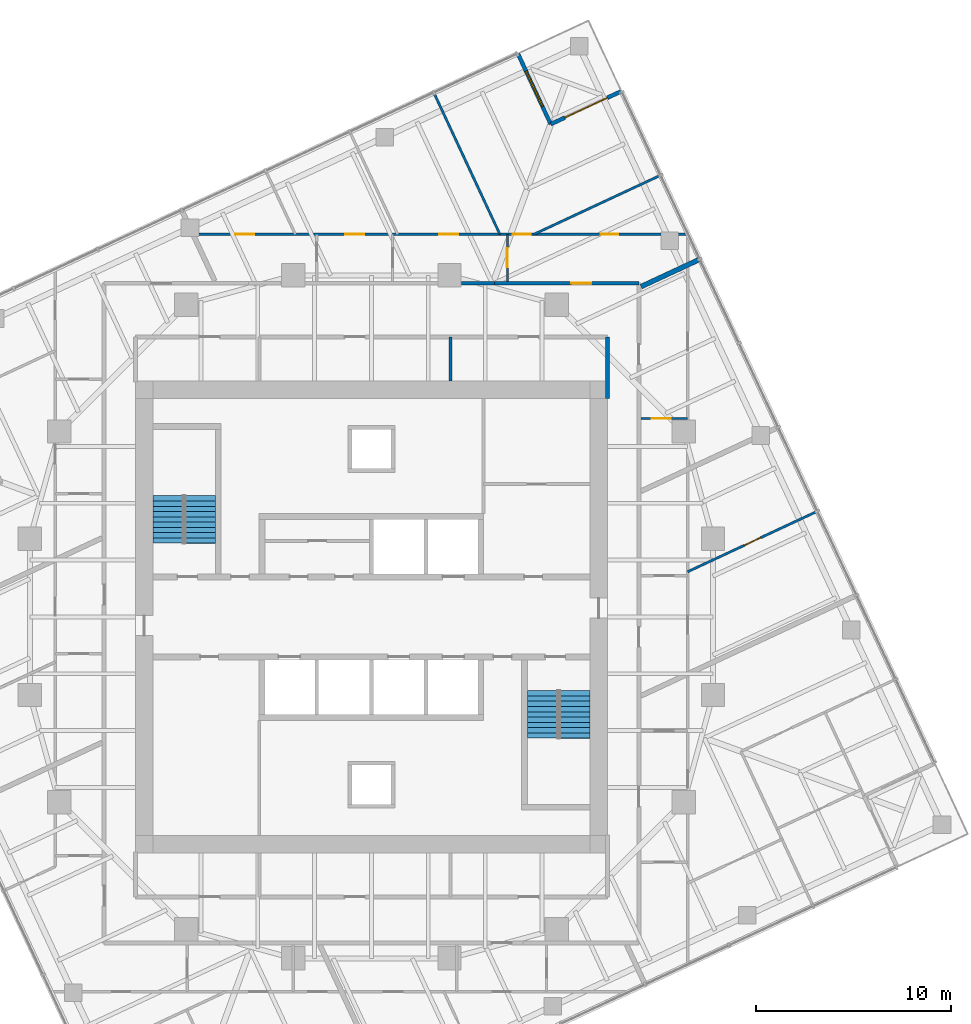
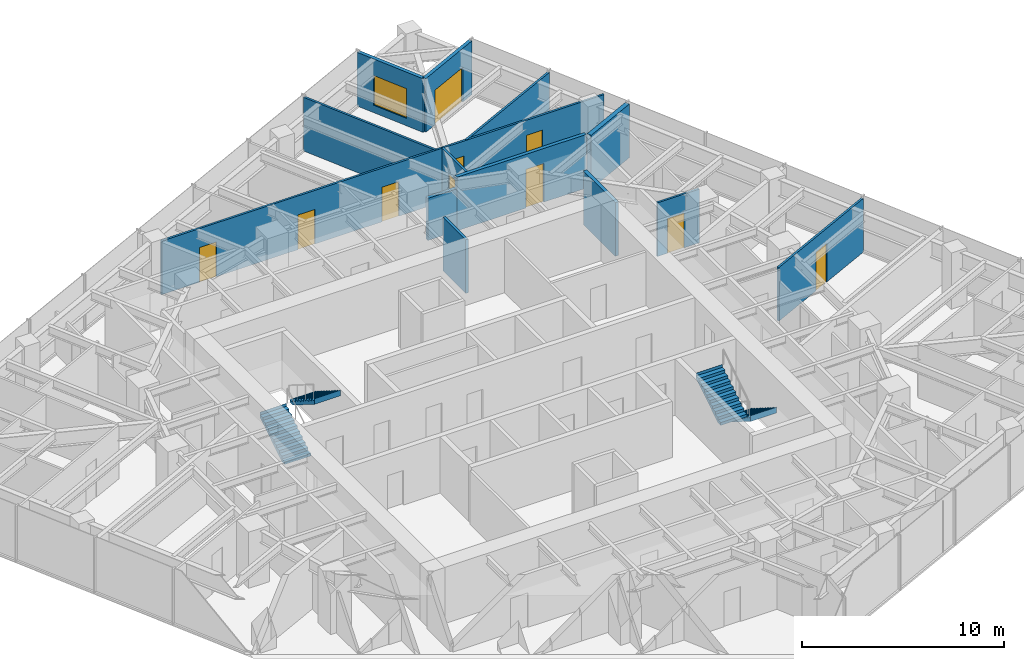
# One storey, part 11 of 12: 13 walls, 10 doors, 4 stair flights, 1 window, 11 openings, 2 elements without a shape of their own.
"""IFC4 building model written with IfcOpenShell, lengths in metres."""

from ifc_helpers import new_model, si_unit, direction, frame, frame_2d, origin, place, context, subcontext, project, spatial, polyline, rectangle, outline, extrude, material, layer, layer_set, type_object, element, fill, aggregate, save


model = new_model("IFC4")

# Units and contexts
model_context = context("Model", 3, precision=1e-05, world=origin(), true_north=direction((0.0, 1.0)))
body_context = subcontext(model_context, "Body", "Model", "MODEL_VIEW")
ifc_project = project(units=[si_unit("LENGTHUNIT", "METRE"), si_unit("AREAUNIT", "SQUARE_METRE"), si_unit("VOLUMEUNIT", "CUBIC_METRE"), si_unit("PLANEANGLEUNIT", "RADIAN"), si_unit("MASSUNIT", "GRAM", prefix="KILO")], contexts=[model_context])

# Site, building, storey
site_placement = place(None, origin())
site = spatial("IfcSite", under=ifc_project, at=site_placement, CompositionType="ELEMENT")
building_placement = place(site_placement, origin())
building = spatial("IfcBuilding", under=site, at=building_placement, Name="Torsade Residences", CompositionType="ELEMENT")
storey_placement = place(building_placement, frame((0.0, 0.0, 193.0)))
storey = spatial("IfcBuildingStorey", under=building, at=storey_placement, Name="L53", CompositionType="ELEMENT", Elevation=193.0)

# Wall, opening, door
ifc_material_1 = material(Name="Plasterboard on steel stud", Category="steel")
ifc_layer_1 = layer(ifc_material_1, 0.199951171875)
ifc_layer_set_1 = layer_set([ifc_layer_1], Name="Plasterboard on steel stud")
wall_type_1 = type_object("IfcWallType", Name="CORRIDOR WALL 200", PredefinedType="PARTITIONING", material=ifc_layer_set_1)
wall_1_placement = place(storey_placement, frame((53.699951171875, 47.10009765625, 0.0), z_axis=(0.0, 0.0, 1.0), x_axis=(-1.0, 0.0, 0.0)))
wall_1 = element("IfcWall", 1, at=wall_1_placement, inside=storey, type_object=wall_type_1, Name="Corridor wall L53", PredefinedType="PARTITIONING", context=body_context, shape_type="SweptSolid", body=[
    extrude(rectangle(XDim=7.3916015625, YDim=0.199951171875, at=frame_2d((3.69580078125, 0.0))), origin(), (0.0, 0.0, 1.0), 3.25),
])
opening_1_placement = place(wall_1_placement, frame((2.430908203125, 0.0, 0.0)))
opening_1 = element("IfcOpeningElement", 2, at=opening_1_placement, cuts=wall_1, Name="Opening D01", PredefinedType="OPENING", context=body_context, shape_type="SweptSolid", body=[
    extrude(rectangle(XDim=1.02001953125, YDim=2.340087890625, at=frame_2d((0.510009765625, 1.169921875))), frame((0.0, 0.10986328125, 0.0), z_axis=(0.0, -1.0, 0.0), x_axis=(1.0, 0.0, 0.0)), (0.0, 0.0, 1.0), 0.219970703125),
])
ifc_material_2 = material(Name="Solid-core timber fire door", Category="wood")
door_type_1 = type_object("IfcDoorType", Name="APARTMENT ENTRY DOOR 1020x2340", OperationType="NOTDEFINED", PredefinedType="DOOR", material=ifc_material_2)
door_1_placement = place(opening_1_placement, origin())
door_1 = element("IfcDoor", 3, at=door_1_placement, inside=storey, type_object=door_type_1, Name="Door Residential corridor to Kitchen and dining", OperationType="SINGLE_SWING_LEFT", OverallHeight=2.340087890625, OverallWidth=1.02001953125, PredefinedType="DOOR", context=body_context, shape_type="SweptSolid", body=[
    extrude(rectangle(XDim=1.02001953125, YDim=2.340087890625, at=frame_2d((0.510009765625, 1.169921875))), frame((0.0, 0.02490234375, 0.0), z_axis=(0.0, -1.0, 0.0), x_axis=(1.0, 0.0, 0.0)), (0.0, 0.0, 1.0), 0.050048828125),
])
fill(opening_1, door_1)

# Walls
wall_2_placement = place(storey_placement, frame((46.308349609375, 47.10009765625, 0.0), z_axis=(0.0, 0.0, 1.0), x_axis=(-1.0, 0.0, 0.0)))
element("IfcWall", 4, at=wall_2_placement, inside=storey, type_object=wall_type_1, Name="Corridor wall L53", PredefinedType="PARTITIONING", context=body_context, shape_type="SweptSolid", body=[
    extrude(rectangle(XDim=1.683349609375, YDim=0.199951171875, at=frame_2d((0.841796875, 0.0))), origin(), (0.0, 0.0, 1.0), 2.550048828125),
])
wall_3_placement = place(storey_placement, frame((52.10009765625, 41.179931640625, 0.0), z_axis=(0.0, 0.0, 1.0), x_axis=(0.0, 1.0, 0.0)))
element("IfcWall", 5, at=wall_3_placement, inside=storey, type_object=wall_type_1, Name="Corridor wall L53", PredefinedType="PARTITIONING", context=body_context, shape_type="SweptSolid", body=[
    extrude(rectangle(XDim=3.170166015625, YDim=0.199951171875, at=frame_2d((1.5849609375, 0.0))), origin(), (0.0, 0.0, 1.0), 3.25),
])

# Wall, opening, door
ifc_material_3 = material(Name="Plasterboard on steel stud", Category="steel")
ifc_layer_2 = layer(ifc_material_3, 0.1201171875)
ifc_layer_set_2 = layer_set([ifc_layer_2], Name="Plasterboard on steel stud")
wall_type_2 = type_object("IfcWallType", Name="PARTITION 120", PredefinedType="PARTITIONING", material=ifc_layer_set_2)
wall_4_placement = place(storey_placement, frame((56.199951171875, 32.313232421875, 0.0), z_axis=(0.0, 0.0, 1.0), x_axis=(0.906306986906, 0.422619977621, 0.0)))
wall_4 = element("IfcWall", 6, at=wall_4_placement, inside=storey, type_object=wall_type_2, Name="Partition L53", PredefinedType="PARTITIONING", context=body_context, shape_type="SweptSolid", body=[
    extrude(rectangle(XDim=7.30029296875, YDim=0.1201171875, at=frame_2d((3.650146484375, 0.0))), origin(), (0.0, 0.0, 1.0), 3.25),
])
opening_2_placement = place(wall_4_placement, frame((3.210205078125, 0.0, 0.0)))
opening_2 = element("IfcOpeningElement", 7, at=opening_2_placement, cuts=wall_4, Name="Opening D02", PredefinedType="OPENING", context=body_context, shape_type="SweptSolid", body=[
    extrude(rectangle(XDim=0.919921875, YDim=2.340087890625, at=frame_2d((0.4599609375, 1.169921875))), frame((0.0, 0.070068359375, 0.0), z_axis=(0.0, -1.0, 0.0), x_axis=(1.0, 0.0, 0.0)), (0.0, 0.0, 1.0), 0.14013671875),
])
ifc_material_4 = material(Name="Hollow-core timber door", Category="wood")
door_type_2 = type_object("IfcDoorType", Name="INTERNAL DOOR 920x2340", OperationType="NOTDEFINED", PredefinedType="DOOR", material=ifc_material_4)
door_2_placement = place(opening_2_placement, origin())
door_2 = element("IfcDoor", 8, at=door_2_placement, inside=storey, type_object=door_type_2, Name="Door Living room to Bedroom 1", OperationType="SINGLE_SWING_LEFT", OverallHeight=2.340087890625, OverallWidth=0.919921875, PredefinedType="DOOR", context=body_context, shape_type="SweptSolid", body=[
    extrude(rectangle(XDim=0.919921875, YDim=2.340087890625, at=frame_2d((0.4599609375, 1.169921875))), frame((0.0, 0.02490234375, 0.0), z_axis=(0.0, -1.0, 0.0), x_axis=(1.0, 0.0, 0.0)), (0.0, 0.0, 1.0), 0.050048828125),
])
fill(opening_2, door_2)

wall_5_placement = place(storey_placement, frame((56.199951171875, 40.166748046875, 0.0), z_axis=(0.0, 0.0, 1.0), x_axis=(-1.0, 0.0, 0.0)))
wall_5 = element("IfcWall", 9, at=wall_5_placement, inside=storey, type_object=wall_type_2, Name="Partition L53", PredefinedType="PARTITIONING", context=body_context, shape_type="SweptSolid", body=[
    extrude(rectangle(XDim=2.39990234375, YDim=0.1201171875, at=frame_2d((1.199951171875, 0.0))), origin(), (0.0, 0.0, 1.0), 3.25),
])
opening_3_placement = place(wall_5_placement, frame((0.8701171875, 0.0, 0.0)))
opening_3 = element("IfcOpeningElement", 10, at=opening_3_placement, cuts=wall_5, Name="Opening D05", PredefinedType="OPENING", context=body_context, shape_type="SweptSolid", body=[
    extrude(rectangle(XDim=0.9599609375, YDim=2.10009765625, at=frame_2d((0.47998046875, 1.050048828125))), frame((0.0, 0.070068359375, 0.0), z_axis=(0.0, -1.0, 0.0), x_axis=(1.0, 0.0, 0.0)), (0.0, 0.0, 1.0), 0.14013671875),
])
ifc_material_5 = material(Name="Hollow-core timber door in a steel cavity frame", Category="steel")
door_type_3 = type_object("IfcDoorType", Name="BATHROOM CAVITY SLIDING DOOR 960", OperationType="SLIDING_TO_LEFT", PredefinedType="DOOR", material=ifc_material_5)
door_3_placement = place(opening_3_placement, origin())
door_3 = element("IfcDoor", 11, at=door_3_placement, inside=storey, type_object=door_type_3, Name="Door Kitchen and dining to Bathroom", OperationType="SLIDING_TO_LEFT", OverallHeight=2.10009765625, OverallWidth=0.9599609375, PredefinedType="DOOR", context=body_context, shape_type="SweptSolid", body=[
    extrude(rectangle(XDim=0.9599609375, YDim=2.10009765625, at=frame_2d((0.47998046875, 1.050048828125))), frame((0.0, 0.02490234375, 0.0), z_axis=(0.0, -1.0, 0.0), x_axis=(1.0, 0.0, 0.0)), (0.0, 0.0, 1.0), 0.050048828125),
])
fill(opening_3, door_3)

wall_6_placement = place(storey_placement, frame((46.968017578125, 47.199951171875, 0.0), z_axis=(0.0, 0.0, 1.0), x_axis=(0.0, 1.0, 0.0)))
wall_6 = element("IfcWall", 12, at=wall_6_placement, inside=storey, type_object=wall_type_2, Name="Partition L53", PredefinedType="PARTITIONING", context=body_context, shape_type="SweptSolid", body=[
    extrude(rectangle(XDim=2.400146484375, YDim=0.1201171875, at=frame_2d((1.2001953125, 0.0))), origin(), (0.0, 0.0, 1.0), 3.25),
])
opening_4_placement = place(wall_6_placement, frame((0.719970703125, 0.0, 0.0)))
opening_4 = element("IfcOpeningElement", 13, at=opening_4_placement, cuts=wall_6, Name="Opening D05", PredefinedType="OPENING", context=body_context, shape_type="SweptSolid", body=[
    extrude(rectangle(XDim=0.9599609375, YDim=2.10009765625, at=frame_2d((0.47998046875, 1.050048828125))), frame((0.0, 0.070068359375, 0.0), z_axis=(0.0, -1.0, 0.0), x_axis=(1.0, 0.0, 0.0)), (0.0, 0.0, 1.0), 0.14013671875),
])
door_4_placement = place(opening_4_placement, origin())
door_4 = element("IfcDoor", 14, at=door_4_placement, inside=storey, type_object=door_type_3, Name="Door Kitchen and dining to Bathroom", OperationType="SLIDING_TO_LEFT", OverallHeight=2.10009765625, OverallWidth=0.9599609375, PredefinedType="DOOR", context=body_context, shape_type="SweptSolid", body=[
    extrude(rectangle(XDim=0.9599609375, YDim=2.10009765625, at=frame_2d((0.47998046875, 1.050048828125))), frame((0.0, 0.02490234375, 0.0), z_axis=(0.0, -1.0, 0.0), x_axis=(1.0, 0.0, 0.0)), (0.0, 0.0, 1.0), 0.050048828125),
])
fill(opening_4, door_4)

# Wall, openings, doors
wall_7_placement = place(storey_placement, frame((30.8603515625, 49.60009765625, 0.0), z_axis=(0.0, 0.0, 1.0), x_axis=(1.0, 0.0, 0.0)))
wall_7 = element("IfcWall", 15, at=wall_7_placement, inside=storey, type_object=wall_type_2, Name="Partition L53", PredefinedType="PARTITIONING", context=body_context, shape_type="SweptSolid", body=[
    extrude(rectangle(XDim=25.33349609375, YDim=0.1201171875, at=frame_2d((12.666748046875, 0.0))), origin(), (0.0, 0.0, 1.0), 3.25),
])
opening_5_placement = place(wall_7_placement, frame((20.87744140625, 0.0, 0.0)))
opening_5 = element("IfcOpeningElement", 16, at=opening_5_placement, cuts=wall_7, Name="Opening D02", PredefinedType="OPENING", context=body_context, shape_type="SweptSolid", body=[
    extrude(rectangle(XDim=0.919921875, YDim=2.340087890625, at=frame_2d((0.4599609375, 1.169921875))), frame((0.0, 0.070068359375, 0.0), z_axis=(0.0, -1.0, 0.0), x_axis=(1.0, 0.0, 0.0)), (0.0, 0.0, 1.0), 0.14013671875),
])
opening_6_placement = place(wall_7_placement, frame((16.3798828125, 0.0, 0.0)))
opening_6 = element("IfcOpeningElement", 17, at=opening_6_placement, cuts=wall_7, Name="Opening D02", PredefinedType="OPENING", context=body_context, shape_type="SweptSolid", body=[
    extrude(rectangle(XDim=0.919921875, YDim=2.340087890625, at=frame_2d((0.4599609375, 1.169921875))), frame((0.0, 0.070068359375, 0.0), z_axis=(0.0, -1.0, 0.0), x_axis=(1.0, 0.0, 0.0)), (0.0, 0.0, 1.0), 0.14013671875),
])
opening_7_placement = place(wall_7_placement, frame((12.62255859375, 0.0, 0.0)))
opening_7 = element("IfcOpeningElement", 18, at=opening_7_placement, cuts=wall_7, Name="Opening D05", PredefinedType="OPENING", context=body_context, shape_type="SweptSolid", body=[
    extrude(rectangle(XDim=0.9599609375, YDim=2.10009765625, at=frame_2d((0.47998046875, 1.050048828125))), frame((0.0, 0.070068359375, 0.0), z_axis=(0.0, -1.0, 0.0), x_axis=(1.0, 0.0, 0.0)), (0.0, 0.0, 1.0), 0.14013671875),
])
opening_8_placement = place(wall_7_placement, frame((7.80224609375, 0.0, 0.0)))
opening_8 = element("IfcOpeningElement", 19, at=opening_8_placement, cuts=wall_7, Name="Opening D05", PredefinedType="OPENING", context=body_context, shape_type="SweptSolid", body=[
    extrude(rectangle(XDim=0.9599609375, YDim=2.10009765625, at=frame_2d((0.47998046875, 1.050048828125))), frame((0.0, 0.070068359375, 0.0), z_axis=(0.0, -1.0, 0.0), x_axis=(1.0, 0.0, 0.0)), (0.0, 0.0, 1.0), 0.14013671875),
])
opening_9_placement = place(wall_7_placement, frame((2.168212890625, 0.0, 0.0)))
opening_9 = element("IfcOpeningElement", 20, at=opening_9_placement, cuts=wall_7, Name="Opening D05", PredefinedType="OPENING", context=body_context, shape_type="SweptSolid", body=[
    extrude(rectangle(XDim=0.9599609375, YDim=2.10009765625, at=frame_2d((0.47998046875, 1.050048828125))), frame((0.0, 0.070068359375, 0.0), z_axis=(0.0, -1.0, 0.0), x_axis=(1.0, 0.0, 0.0)), (0.0, 0.0, 1.0), 0.14013671875),
])
door_5_placement = place(opening_7_placement, origin())
door_5 = element("IfcDoor", 21, at=door_5_placement, inside=storey, type_object=door_type_3, Name="Door Bathroom to Bedroom 1", OperationType="SLIDING_TO_LEFT", OverallHeight=2.10009765625, OverallWidth=0.9599609375, PredefinedType="DOOR", context=body_context, shape_type="SweptSolid", body=[
    extrude(rectangle(XDim=0.9599609375, YDim=2.10009765625, at=frame_2d((0.47998046875, 1.050048828125))), frame((0.0, 0.02490234375, 0.0), z_axis=(0.0, -1.0, 0.0), x_axis=(1.0, 0.0, 0.0)), (0.0, 0.0, 1.0), 0.050048828125),
])
fill(opening_7, door_5)
door_6_placement = place(opening_8_placement, origin())
door_6 = element("IfcDoor", 22, at=door_6_placement, inside=storey, type_object=door_type_3, Name="Door Laundry to Bedroom 2", OperationType="SLIDING_TO_LEFT", OverallHeight=2.10009765625, OverallWidth=0.9599609375, PredefinedType="DOOR", context=body_context, shape_type="SweptSolid", body=[
    extrude(rectangle(XDim=0.9599609375, YDim=2.10009765625, at=frame_2d((0.47998046875, 1.050048828125))), frame((0.0, 0.02490234375, 0.0), z_axis=(0.0, -1.0, 0.0), x_axis=(1.0, 0.0, 0.0)), (0.0, 0.0, 1.0), 0.050048828125),
])
fill(opening_8, door_6)
door_7_placement = place(opening_9_placement, origin())
door_7 = element("IfcDoor", 23, at=door_7_placement, inside=storey, type_object=door_type_3, Name="Door Ensuite to Study", OperationType="SLIDING_TO_LEFT", OverallHeight=2.10009765625, OverallWidth=0.9599609375, PredefinedType="DOOR", context=body_context, shape_type="SweptSolid", body=[
    extrude(rectangle(XDim=0.9599609375, YDim=2.10009765625, at=frame_2d((0.47998046875, 1.050048828125))), frame((0.0, 0.02490234375, 0.0), z_axis=(0.0, -1.0, 0.0), x_axis=(1.0, 0.0, 0.0)), (0.0, 0.0, 1.0), 0.050048828125),
])
fill(opening_9, door_7)
door_8_placement = place(opening_5_placement, origin())
door_8 = element("IfcDoor", 24, at=door_8_placement, inside=storey, type_object=door_type_2, Name="Door Kitchen and dining to Bedroom 3", OperationType="SINGLE_SWING_LEFT", OverallHeight=2.340087890625, OverallWidth=0.919921875, PredefinedType="DOOR", context=body_context, shape_type="SweptSolid", body=[
    extrude(rectangle(XDim=0.919921875, YDim=2.340087890625, at=frame_2d((0.4599609375, 1.169921875))), frame((0.0, 0.02490234375, 0.0), z_axis=(0.0, -1.0, 0.0), x_axis=(1.0, 0.0, 0.0)), (0.0, 0.0, 1.0), 0.050048828125),
])
fill(opening_5, door_8)
door_9_placement = place(opening_6_placement, origin())
door_9 = element("IfcDoor", 25, at=door_9_placement, inside=storey, type_object=door_type_2, Name="Door Kitchen and dining to Living room", OperationType="SINGLE_SWING_RIGHT", OverallHeight=2.340087890625, OverallWidth=0.919921875, PredefinedType="DOOR", context=body_context, shape_type="SweptSolid", body=[
    extrude(rectangle(XDim=0.919921875, YDim=2.340087890625, at=frame_2d((0.4599609375, 1.169921875))), frame((0.0, 0.02490234375, 0.0), z_axis=(0.0, -1.0, 0.0), x_axis=(1.0, 0.0, 0.0)), (0.0, 0.0, 1.0), 0.050048828125),
])
fill(opening_6, door_9)

# Walls
wall_8_placement = place(storey_placement, frame((46.58349609375, 49.60009765625, 0.0), z_axis=(0.0, 0.0, 1.0), x_axis=(-0.422640876946, 0.90629724105, 0.0)))
element("IfcWall", 26, at=wall_8_placement, inside=storey, type_object=wall_type_2, Name="Partition L53", PredefinedType="PARTITIONING", context=body_context, shape_type="SweptSolid", body=[
    extrude(rectangle(XDim=7.978515625, YDim=0.1201171875, at=frame_2d((3.9892578125, 0.0))), origin(), (0.0, 0.0, 1.0), 3.25),
])
wall_9_placement = place(storey_placement, frame((54.78662109375, 52.6181640625, 0.0), z_axis=(0.0, 0.0, 1.0), x_axis=(-0.906317589158, -0.422597240388, 0.0)))
element("IfcWall", 27, at=wall_9_placement, inside=storey, type_object=wall_type_2, Name="Partition L53", PredefinedType="PARTITIONING", context=body_context, shape_type="SweptSolid", body=[
    extrude(rectangle(XDim=7.1416015625, YDim=0.1201171875, at=frame_2d((3.57080078125, 0.0))), origin(), (0.0, 0.0, 1.0), 3.25),
])
ifc_material_6 = material(Name="Masonry-lined stud party wall", Category="masonry")
ifc_layer_3 = layer(ifc_material_6, 0.25)
ifc_layer_set_3 = layer_set([ifc_layer_3], Name="Masonry-lined stud party wall")
wall_type_3 = type_object("IfcWallType", Name="PARTY WALL 250", PredefinedType="PARTITIONING", material=ifc_layer_set_3)
wall_10_placement = place(storey_placement, frame((56.830322265625, 48.330078125, 0.0), z_axis=(0.0, 0.0, 1.0), x_axis=(-0.906310647924, -0.422612126495, 0.0)))
element("IfcWall", 28, at=wall_10_placement, inside=storey, type_object=wall_type_3, Name="Party wall L53", PredefinedType="PARTITIONING", context=body_context, shape_type="SweptSolid", body=[
    extrude(rectangle(XDim=3.3251953125, YDim=0.25, at=frame_2d((1.66259765625, 0.0))), origin(), (0.0, 0.0, 1.0), 3.25),
])
ifc_material_7 = material(Name="Reinforced blockwork", Category="masonry")
ifc_layer_4 = layer(ifc_material_7, 0.14990234375)
ifc_layer_set_4 = layer_set([ifc_layer_4], Name="Reinforced blockwork")
wall_type_4 = type_object("IfcWallType", Name="SERVICE ROOM WALL 150", PredefinedType="SOLIDWALL", material=ifc_layer_set_4)
wall_11_placement = place(storey_placement, frame((44.04150390625, 42.10009765625, 0.0), z_axis=(0.0, 0.0, 1.0), x_axis=(0.0, 1.0, 0.0)))
element("IfcWall", 29, at=wall_11_placement, inside=storey, type_object=wall_type_4, Name="Service room wall L53", PredefinedType="SOLIDWALL", context=body_context, shape_type="SweptSolid", body=[
    extrude(rectangle(XDim=2.25, YDim=0.14990234375, at=frame_2d((1.125, 0.0))), origin(), (0.0, 0.0, 1.0), 3.25),
])

# Wall, opening, door
ifc_material_8 = material(Name="Stone-faced precast concrete 40 MPa panel", Category="masonry")
ifc_layer_5 = layer(ifc_material_8, 0.199951171875)
ifc_layer_set_5 = layer_set([ifc_layer_5], Name="Stone-faced precast concrete 40 MPa panel")
wall_type_5 = type_object("IfcWallType", Name="TERRACE WALL 200", PredefinedType="SOLIDWALL", material=ifc_layer_set_5)
wall_12_placement = place(storey_placement, frame((52.8154296875, 56.940185546875, 0.0), z_axis=(0.0, 0.0, 1.0), x_axis=(-0.906289140828, -0.422658246362, 0.0)))
wall_12 = element("IfcWall", 30, at=wall_12_placement, inside=storey, type_object=wall_type_5, Name="Terrace wall L53 5", PredefinedType="SOLIDWALL", context=body_context, shape_type="SweptSolid", body=[
    extrude(rectangle(XDim=4.0, YDim=0.199951171875, at=frame_2d((2.0, 0.0))), origin(), (0.0, 0.0, 1.0), 3.25),
])
opening_10_placement = place(wall_12_placement, frame((0.800048828125, 0.0, 0.0)))
opening_10 = element("IfcOpeningElement", 31, at=opening_10_placement, cuts=wall_12, Name="Opening D10A", PredefinedType="OPENING", context=body_context, shape_type="SweptSolid", body=[
    extrude(rectangle(XDim=2.39990234375, YDim=2.10009765625, at=frame_2d((1.199951171875, 1.050048828125))), frame((0.0, 0.10986328125, 0.0), z_axis=(0.0, -1.0, 0.0), x_axis=(1.0, 0.0, 0.0)), (0.0, 0.0, 1.0), 0.219970703125),
])
ifc_material_9 = material(Name="Aluminium-framed glass door", Category="aluminium")
door_type_4 = type_object("IfcDoorType", Name="TERRACE SLIDING DOOR 2400x2100", OperationType="SLIDING_TO_LEFT", PredefinedType="DOOR", material=ifc_material_9)
door_10_placement = place(opening_10_placement, origin())
door_10 = element("IfcDoor", 32, at=door_10_placement, inside=storey, type_object=door_type_4, Name="Terrace door L53 5", OperationType="SLIDING_TO_LEFT", OverallHeight=2.10009765625, OverallWidth=2.39990234375, PredefinedType="DOOR", context=body_context, shape_type="SweptSolid", body=[
    extrude(rectangle(XDim=2.39990234375, YDim=2.10009765625, at=frame_2d((1.199951171875, 1.050048828125))), frame((0.0, 0.02490234375, 0.0), z_axis=(0.0, -1.0, 0.0), x_axis=(1.0, 0.0, 0.0)), (0.0, 0.0, 1.0), 0.050048828125),
])
fill(opening_10, door_10)

# Wall, opening, window
wall_13_placement = place(storey_placement, frame((49.190185546875, 55.24951171875, 0.0), z_axis=(0.0, 0.0, 1.0), x_axis=(-0.422658246362, 0.906289140828, 0.0)))
wall_13 = element("IfcWall", 33, at=wall_13_placement, inside=storey, type_object=wall_type_5, Name="Terrace wall L53 6", PredefinedType="SOLIDWALL", context=body_context, shape_type="SweptSolid", body=[
    extrude(rectangle(XDim=4.0, YDim=0.199951171875, at=frame_2d((2.0, 0.0))), origin(), (0.0, 0.0, 1.0), 3.25),
])
opening_11_placement = place(wall_13_placement, frame((1.0, 0.0, 0.449951171875)))
opening_11 = element("IfcOpeningElement", 34, at=opening_11_placement, cuts=wall_13, Name="Opening W1B", PredefinedType="OPENING", context=body_context, shape_type="SweptSolid", body=[
    extrude(rectangle(XDim=2.0, YDim=1.800048828125, at=frame_2d((1.0, 0.89990234375))), frame((0.0, 0.10986328125, 0.0), z_axis=(0.0, -1.0, 0.0), x_axis=(1.0, 0.0, 0.0)), (0.0, 0.0, 1.0), 0.219970703125),
])
ifc_material_10 = material(Name="Aluminium-framed glass window", Category="aluminium")
window_type = type_object("IfcWindowType", Name="TERRACE WINDOW 2000x1800", PartitioningType="SINGLE_PANEL", PredefinedType="WINDOW", material=ifc_material_10)
window_placement = place(opening_11_placement, origin())
window = element("IfcWindow", 35, at=window_placement, inside=storey, type_object=window_type, Name="Terrace window L53 6", OverallHeight=1.800048828125, OverallWidth=2.0, PartitioningType="SINGLE_PANEL", PredefinedType="WINDOW", context=body_context, shape_type="SweptSolid", body=[
    extrude(rectangle(XDim=2.0, YDim=1.800048828125, at=frame_2d((1.0, 0.89990234375))), frame((0.0, 0.030029296875, 0.0), z_axis=(0.0, -1.0, 0.0), x_axis=(1.0, 0.0, 0.0)), (0.0, 0.0, 1.0), 0.06005859375),
])
fill(opening_11, window)

# Stair, stair flights
ifc_material_11 = material(Name="Precast concrete 40 MPa", Category="concrete")
stair_type = type_object("IfcStairType", Name="HALF-TURN FIRE STAIR 1500x3400", PredefinedType="HALF_TURN_STAIR", material=ifc_material_11)
stair_1_placement = place(storey_placement, origin())
stair_1 = element("IfcStair", 36, at=stair_1_placement, inside=storey, type_object=stair_type, Name="Stair ST1 L53", PredefinedType="HALF_TURN_STAIR")
ifc_material_12 = material(Name="Precast concrete 40 MPa", Category="concrete")
stair_flight_type = type_object("IfcStairFlightType", Name="PRECAST STAIR FLIGHT 1500x1700", PredefinedType="STRAIGHT", material=ifc_material_12)
stair_flight_1_placement = place(storey_placement, frame((29.550048828125, 33.780029296875, 0.0), z_axis=(0.0, 0.0, 1.0), x_axis=(0.0, 1.0, 0.0)))
stair_flight_1 = element("IfcStairFlight", 37, at=stair_flight_1_placement, type_object=stair_flight_type, Name="ST1 flight 1", NumberOfRisers=10, NumberOfTreads=9, PredefinedType="STRAIGHT", RiserHeight=0.17, TreadLength=0.27, context=body_context, shape_type="SweptSolid", body=[
    extrude(outline(polyline([(0.0, 0.0), (0.0, 0.169921875), (0.27001953125, 0.169921875), (0.27001953125, 0.340087890625), (0.5400390625, 0.340087890625), (0.5400390625, 0.510009765625), (0.81005859375, 0.510009765625), (0.81005859375, 0.679931640625), (1.080078125, 0.679931640625), (1.080078125, 0.85009765625), (1.35009765625, 0.85009765625), (1.35009765625, 1.02001953125), (1.6201171875, 1.02001953125), (1.6201171875, 1.18994140625), (1.889892578125, 1.18994140625), (1.889892578125, 1.360107421875), (2.159912109375, 1.360107421875), (2.159912109375, 1.530029296875), (2.429931640625, 1.530029296875), (2.429931640625, 1.699951171875), (2.43994140625, 1.699951171875), (2.43994140625, 1.352783203125), (2.429931640625, 1.352783203125), (0.28125, 0.0), (0.0, 0.0)])), frame((0.0, 0.75, 0.0), z_axis=(0.0, -1.0, 0.0), x_axis=(1.0, 0.0, 0.0)), (0.0, 0.0, 1.0), 1.5),
])
stair_flight_2_placement = place(storey_placement, frame((31.25, 36.2099609375, 1.699951171875), z_axis=(0.0, 0.0, 1.0), x_axis=(0.0, -1.0, 0.0)))
stair_flight_2 = element("IfcStairFlight", 38, at=stair_flight_2_placement, type_object=stair_flight_type, Name="ST1 flight 2", NumberOfRisers=10, NumberOfTreads=9, PredefinedType="STRAIGHT", RiserHeight=0.17, TreadLength=0.27, context=body_context, shape_type="SweptSolid", body=[
    extrude(outline(polyline([(0.0, 0.0), (0.0, 0.169921875), (0.27001953125, 0.169921875), (0.27001953125, 0.340087890625), (0.5400390625, 0.340087890625), (0.5400390625, 0.510009765625), (0.81005859375, 0.510009765625), (0.81005859375, 0.679931640625), (1.080078125, 0.679931640625), (1.080078125, 0.85009765625), (1.35009765625, 0.85009765625), (1.35009765625, 1.02001953125), (1.6201171875, 1.02001953125), (1.6201171875, 1.18994140625), (1.889892578125, 1.18994140625), (1.889892578125, 1.360107421875), (2.159912109375, 1.360107421875), (2.159912109375, 1.530029296875), (2.429931640625, 1.530029296875), (2.429931640625, 1.699951171875), (2.43994140625, 1.699951171875), (2.43994140625, 1.352783203125), (2.429931640625, 1.352783203125), (0.28125, 0.0), (0.0, 0.0)])), frame((0.0, 0.75, 0.0), z_axis=(0.0, -1.0, 0.0), x_axis=(1.0, 0.0, 0.0)), (0.0, 0.0, 1.0), 1.5),
])
aggregate(stair_1, [stair_flight_1, stair_flight_2])

stair_2_placement = place(storey_placement, origin())
stair_2 = element("IfcStair", 39, at=stair_2_placement, inside=storey, type_object=stair_type, Name="Stair ST2 L53", PredefinedType="HALF_TURN_STAIR")
stair_flight_3_placement = place(storey_placement, frame((50.449951171875, 26.219970703125, 0.0), z_axis=(0.0, 0.0, 1.0), x_axis=(0.0, -1.0, 0.0)))
stair_flight_3 = element("IfcStairFlight", 40, at=stair_flight_3_placement, type_object=stair_flight_type, Name="ST2 flight 1", NumberOfRisers=10, NumberOfTreads=9, PredefinedType="STRAIGHT", RiserHeight=0.17, TreadLength=0.27, context=body_context, shape_type="SweptSolid", body=[
    extrude(outline(polyline([(0.0, 0.0), (0.0, 0.169921875), (0.27001953125, 0.169921875), (0.27001953125, 0.340087890625), (0.5400390625, 0.340087890625), (0.5400390625, 0.510009765625), (0.81005859375, 0.510009765625), (0.81005859375, 0.679931640625), (1.080078125, 0.679931640625), (1.080078125, 0.85009765625), (1.35009765625, 0.85009765625), (1.35009765625, 1.02001953125), (1.6201171875, 1.02001953125), (1.6201171875, 1.18994140625), (1.889892578125, 1.18994140625), (1.889892578125, 1.360107421875), (2.159912109375, 1.360107421875), (2.159912109375, 1.530029296875), (2.429931640625, 1.530029296875), (2.429931640625, 1.699951171875), (2.43994140625, 1.699951171875), (2.43994140625, 1.352783203125), (2.429931640625, 1.352783203125), (0.28125, 0.0), (0.0, 0.0)])), frame((0.0, 0.75, 0.0), z_axis=(0.0, -1.0, 0.0), x_axis=(1.0, 0.0, 0.0)), (0.0, 0.0, 1.0), 1.5),
])
stair_flight_4_placement = place(storey_placement, frame((48.75, 23.7900390625, 1.699951171875), z_axis=(0.0, 0.0, 1.0), x_axis=(0.0, 1.0, 0.0)))
stair_flight_4 = element("IfcStairFlight", 41, at=stair_flight_4_placement, type_object=stair_flight_type, Name="ST2 flight 2", NumberOfRisers=10, NumberOfTreads=9, PredefinedType="STRAIGHT", RiserHeight=0.17, TreadLength=0.27, context=body_context, shape_type="SweptSolid", body=[
    extrude(outline(polyline([(0.0, 0.0), (0.0, 0.169921875), (0.27001953125, 0.169921875), (0.27001953125, 0.340087890625), (0.5400390625, 0.340087890625), (0.5400390625, 0.510009765625), (0.81005859375, 0.510009765625), (0.81005859375, 0.679931640625), (1.080078125, 0.679931640625), (1.080078125, 0.85009765625), (1.35009765625, 0.85009765625), (1.35009765625, 1.02001953125), (1.6201171875, 1.02001953125), (1.6201171875, 1.18994140625), (1.889892578125, 1.18994140625), (1.889892578125, 1.360107421875), (2.159912109375, 1.360107421875), (2.159912109375, 1.530029296875), (2.429931640625, 1.530029296875), (2.429931640625, 1.699951171875), (2.43994140625, 1.699951171875), (2.43994140625, 1.352783203125), (2.429931640625, 1.352783203125), (0.28125, 0.0), (0.0, 0.0)])), frame((0.0, 0.75, 0.0), z_axis=(0.0, -1.0, 0.0), x_axis=(1.0, 0.0, 0.0)), (0.0, 0.0, 1.0), 1.5),
])
aggregate(stair_2, [stair_flight_3, stair_flight_4])

save(model, "model.ifc")
